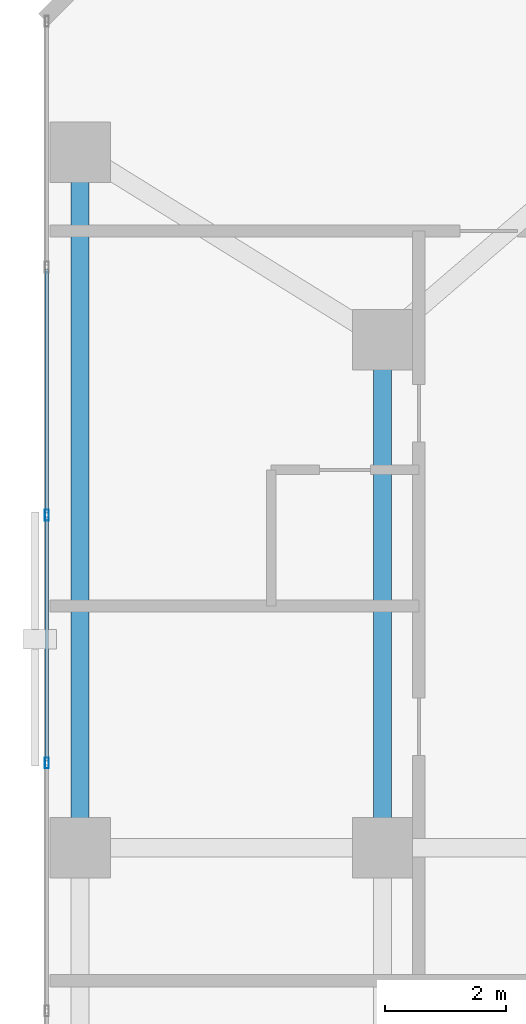
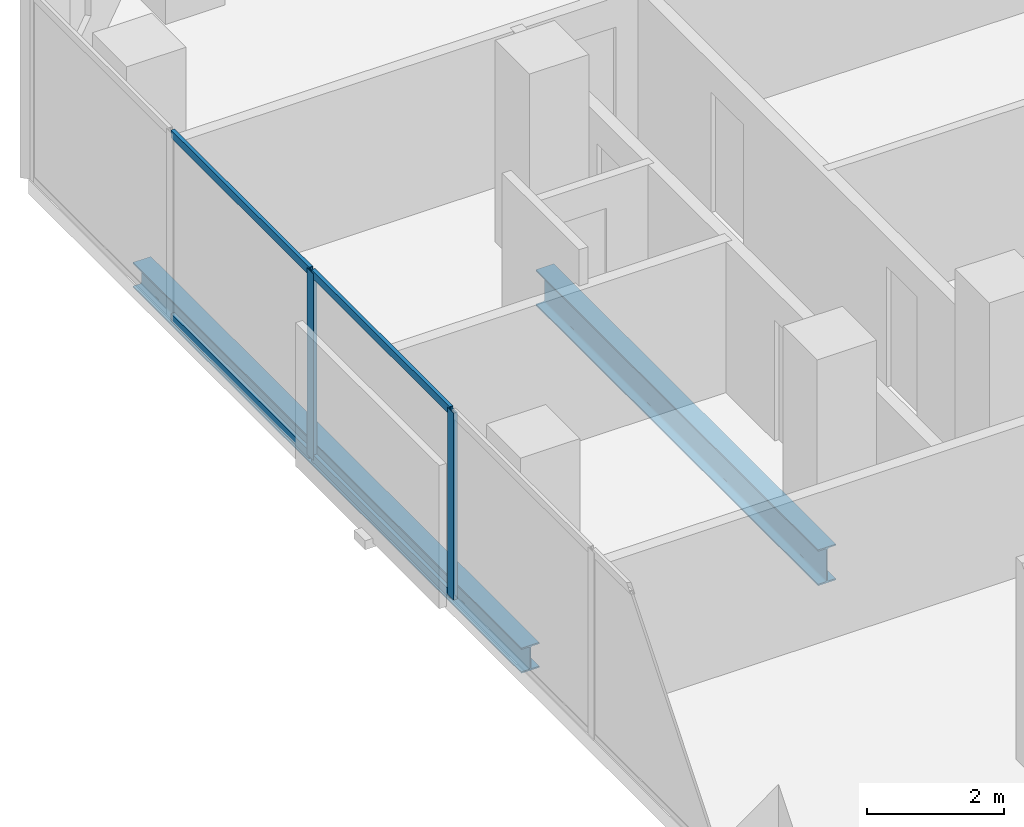
# One storey, part 16 of 32: 6 members, 2 beams, 1 element without a shape of its own.
"""IFC4 building model written with IfcOpenShell, lengths in metres."""

from ifc_helpers import new_model, si_unit, direction, frame, origin, origin_2d, place, context, subcontext, project, spatial, hollow_rectangle, i_section, extrude, material, layer, layer_set, material_profile, profile_set, type_object, element, aggregate, save


model = new_model("IFC4")

# Units and contexts
model_context = context("Model", 3, precision=1e-05, world=origin(), true_north=direction((0.0, 1.0)))
body_context = subcontext(model_context, "Body", "Model", "MODEL_VIEW")
ifc_project = project(units=[si_unit("LENGTHUNIT", "METRE"), si_unit("AREAUNIT", "SQUARE_METRE"), si_unit("VOLUMEUNIT", "CUBIC_METRE"), si_unit("PLANEANGLEUNIT", "RADIAN"), si_unit("MASSUNIT", "GRAM", prefix="KILO")], contexts=[model_context])

# Site, building, storey
site_placement = place(None, origin())
site = spatial("IfcSite", under=ifc_project, at=site_placement, CompositionType="ELEMENT")
building_placement = place(site_placement, origin())
building = spatial("IfcBuilding", under=site, at=building_placement, Name="Catumbela Crestline Tower", CompositionType="ELEMENT")
storey_placement = place(building_placement, frame((0.0, 0.0, 29.4)))
storey = spatial("IfcBuildingStorey", under=building, at=storey_placement, Name="L06", CompositionType="ELEMENT", Elevation=29.4)

# Beam
ifc_material_1 = material(Name="Structural steel S355J2", Category="steel")
ifc_material_profile_1 = material_profile(ifc_material_1, i_section(OverallWidth=0.3, OverallDepth=0.64, WebThickness=0.0135, FlangeThickness=0.026, FilletRadius=0.027, at=origin_2d()), Name="HEA 650")
ifc_profile_set_1 = profile_set([ifc_material_profile_1], Name="Structural steel S355J2")
beam_type_1 = type_object("IfcBeamType", Name="BG-HEA650", PredefinedType="BEAM", material=ifc_profile_set_1)
beam_1_placement = place(storey_placement, frame((5.6, 30.88, -0.58), z_axis=(0.0, 1.0, 0.0), x_axis=(-1.0, 0.0, 0.0)))
element("IfcBeam", 1, at=beam_1_placement, inside=storey, type_object=beam_type_1, Name="L06 Beam BM-L06-SN28", PredefinedType="BEAM", context=body_context, shape_type="SweptSolid", body=[
    extrude(i_section(OverallWidth=0.3, OverallDepth=0.64, WebThickness=0.0135, FlangeThickness=0.026, FilletRadius=0.027, at=origin_2d()), origin(), (0.0, 0.0, 1.0), 8.24),
])

# Curtain wall, members
ifc_material_2 = material(Name="Aluminium alloy AW-6060-T66", Category="aluminium")
ifc_layer = layer(ifc_material_2, 0.18, Name="Aluminium alloy AW-6060-T66")
ifc_layer_set = layer_set([ifc_layer], Name="Aluminium alloy AW-6060-T66")
curtain_wall_type = type_object("IfcCurtainWallType", Name="CWU-Z1", PredefinedType="USERDEFINED", material=ifc_layer_set)
curtain_wall_placement = place(storey_placement, origin())
curtain_wall = element("IfcCurtainWall", 2, at=curtain_wall_placement, inside=storey, type_object=curtain_wall_type, Name="L06 Unitised Curtain Wall CW-L06-E9S1", ObjectType="UNITISED", PredefinedType="USERDEFINED")
ifc_material_profile_2 = material_profile(ifc_material_2, hollow_rectangle(XDim=0.065, YDim=0.18, WallThickness=0.004, at=origin_2d()), Name="ALU 180x65x4")
ifc_profile_set_2 = profile_set([ifc_material_profile_2], Name="Aluminium alloy AW-6060-T66")
member_type_1 = type_object("IfcMemberType", Name="MUL-180X65", PredefinedType="MULLION", material=ifc_profile_set_2)
member_1_placement = place(storey_placement, frame((0.05, 36.3, 0.0), z_axis=(0.0, 0.0, 1.0), x_axis=(1.0, 0.0, 0.0)))
member_1 = element("IfcMember", 3, at=member_1_placement, type_object=member_type_1, Name="CWU-Z1 mullion 3", PredefinedType="MULLION", context=body_context, shape_type="SweptSolid", body=[
    extrude(hollow_rectangle(XDim=0.065, YDim=0.18, WallThickness=0.004, at=origin_2d()), origin(), (0.0, 0.0, 1.0), 3.33),
])
member_2_placement = place(storey_placement, frame((0.05, 32.2, 0.0), z_axis=(0.0, 0.0, 1.0), x_axis=(1.0, 0.0, 0.0)))
member_2 = element("IfcMember", 4, at=member_2_placement, type_object=member_type_1, Name="CWU-Z1 mullion 4", PredefinedType="MULLION", context=body_context, shape_type="SweptSolid", body=[
    extrude(hollow_rectangle(XDim=0.065, YDim=0.18, WallThickness=0.004, at=origin_2d()), origin(), (0.0, 0.0, 1.0), 3.33),
])

# Beam
ifc_material_profile_3 = material_profile(ifc_material_1, i_section(OverallWidth=0.3, OverallDepth=0.45, WebThickness=0.014, FlangeThickness=0.026, FilletRadius=0.027, at=origin_2d()), Name="HEB 450")
ifc_profile_set_3 = profile_set([ifc_material_profile_3], Name="Structural steel S355J2")
beam_type_2 = type_object("IfcBeamType", Name="BS-HEB450", PredefinedType="SPANDREL", material=ifc_profile_set_3)
beam_2_placement = place(storey_placement, frame((0.6, 30.88, -0.485), z_axis=(0.0, 1.0, 0.0), x_axis=(-1.0, 0.0, 0.0)))
element("IfcBeam", 5, at=beam_2_placement, inside=storey, type_object=beam_type_2, Name="L06 Spandrel SP-L06-SN26", PredefinedType="SPANDREL", context=body_context, shape_type="SweptSolid", body=[
    extrude(i_section(OverallWidth=0.3, OverallDepth=0.45, WebThickness=0.014, FlangeThickness=0.026, FilletRadius=0.027, at=origin_2d()), origin(), (0.0, 0.0, 1.0), 11.34),
])

# Member
ifc_material_profile_4 = material_profile(ifc_material_2, hollow_rectangle(XDim=0.06, YDim=0.14, WallThickness=0.004, at=origin_2d()), Name="ALU 140x60x4")
ifc_profile_set_4 = profile_set([ifc_material_profile_4], Name="Aluminium alloy AW-6060-T66")
member_type_2 = type_object("IfcMemberType", Name="TRN-140X60", PredefinedType="USERDEFINED", material=ifc_profile_set_4)
member_3_placement = place(storey_placement, frame((0.05, 40.3675, 0.03), z_axis=(0.0, -1.0, 0.0), x_axis=(1.0, 0.0, 0.0)))
member_3 = element("IfcMember", 6, at=member_3_placement, type_object=member_type_2, Name="CWU-Z1 transom 2.1", ObjectType="TRANSOM", PredefinedType="USERDEFINED", context=body_context, shape_type="SweptSolid", body=[
    extrude(hollow_rectangle(XDim=0.06, YDim=0.14, WallThickness=0.004, at=origin_2d()), origin(), (0.0, 0.0, 1.0), 4.035),
])

member_4_placement = place(storey_placement, frame((0.05, 40.3675, 3.3), z_axis=(0.0, -1.0, 0.0), x_axis=(1.0, 0.0, 0.0)))
member_4 = element("IfcMember", 7, at=member_4_placement, type_object=member_type_2, Name="CWU-Z1 transom 2.2", ObjectType="TRANSOM", PredefinedType="USERDEFINED", context=body_context, shape_type="SweptSolid", body=[
    extrude(hollow_rectangle(XDim=0.06, YDim=0.14, WallThickness=0.004, at=origin_2d()), origin(), (0.0, 0.0, 1.0), 4.035),
])

member_5_placement = place(storey_placement, frame((0.05, 36.2675, 0.03), z_axis=(0.0, -1.0, 0.0), x_axis=(1.0, 0.0, 0.0)))
member_5 = element("IfcMember", 8, at=member_5_placement, type_object=member_type_2, Name="CWU-Z1 transom 3.1", ObjectType="TRANSOM", PredefinedType="USERDEFINED", context=body_context, shape_type="SweptSolid", body=[
    extrude(hollow_rectangle(XDim=0.06, YDim=0.14, WallThickness=0.004, at=origin_2d()), origin(), (0.0, 0.0, 1.0), 4.035),
])

member_6_placement = place(storey_placement, frame((0.05, 36.2675, 3.3), z_axis=(0.0, -1.0, 0.0), x_axis=(1.0, 0.0, 0.0)))
member_6 = element("IfcMember", 9, at=member_6_placement, type_object=member_type_2, Name="CWU-Z1 transom 3.2", ObjectType="TRANSOM", PredefinedType="USERDEFINED", context=body_context, shape_type="SweptSolid", body=[
    extrude(hollow_rectangle(XDim=0.06, YDim=0.14, WallThickness=0.004, at=origin_2d()), origin(), (0.0, 0.0, 1.0), 4.035),
])

aggregate(curtain_wall, [member_1, member_2, member_3, member_4, member_5, member_6])

save(model, "model.ifc")
